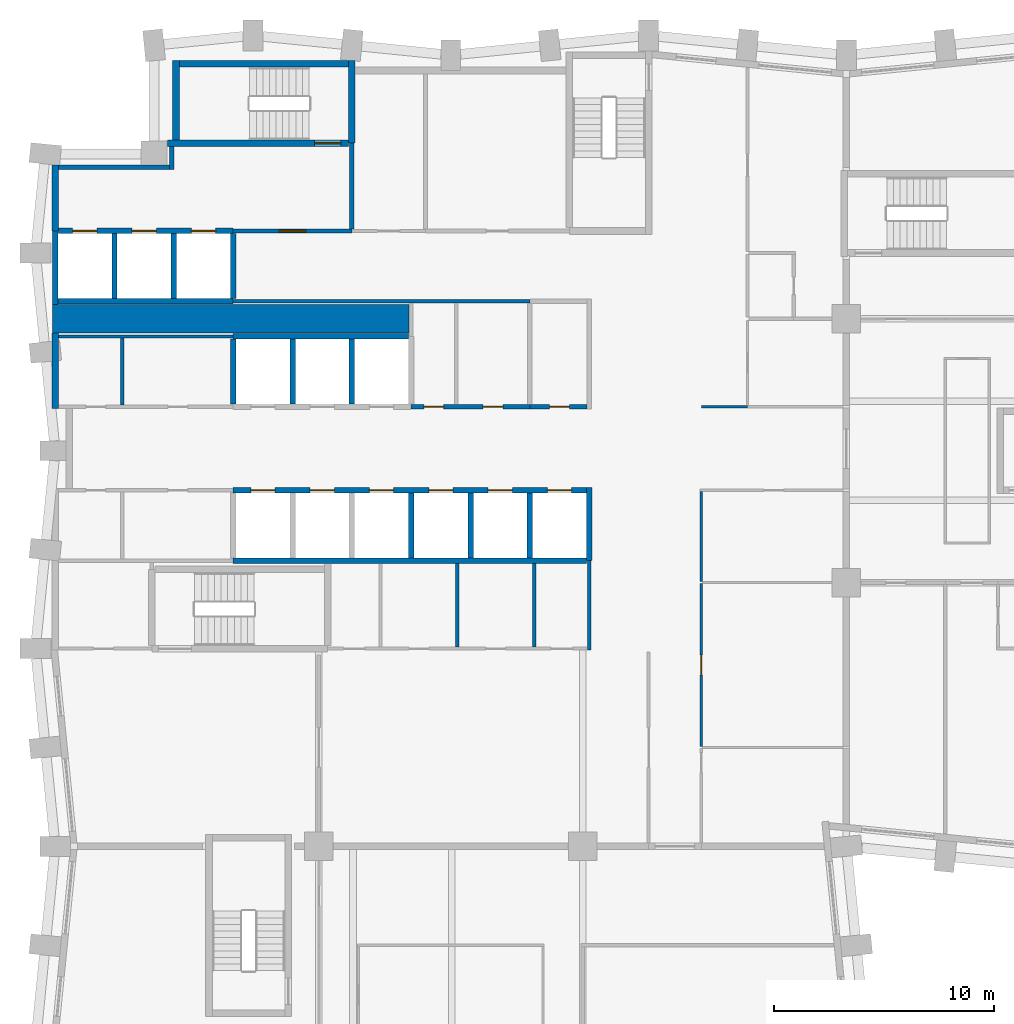
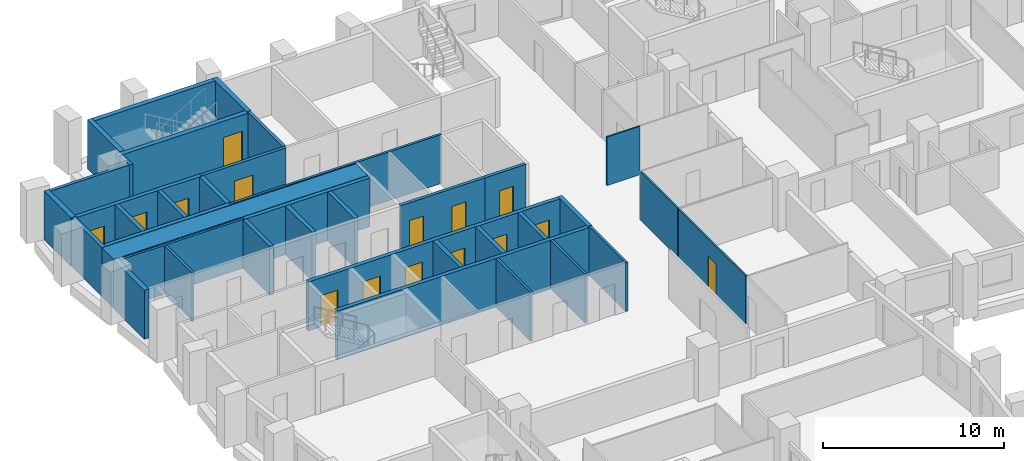
# One storey, part 6 of 13: 38 walls, 15 doors, 15 openings.
"""IFC4 building model written with IfcOpenShell, lengths in metres."""

import ifcopenshell
import ifcopenshell.guid

model = None  # the IFC model being written
_history = None  # IfcOwnerHistory: only IFC2X3 demands one
_inside = {}  # id of a spatial element -> (the spatial element, [elements in it])
_under = {}  # id of a project, library or spatial element -> (it, [spatial elements below it])
_declared = {}  # id of a project -> (the project, [libraries it declares])
_typed = {}  # id of a type object -> (the type object, [elements of that type])
_made_of = {}  # id of a material, layer set ... -> (it, [elements and type objects made of it])


def new_model(schema):
    """Start an empty IFC model of exactly this schema.

    Asked for "IFC4X3", IfcOpenShell would pick the latest addendum, in which some entities
    have other attributes; the version numbers below select the first issue.
    IFC2X3 requires an IfcOwnerHistory on every rooted entity: one is made here for all.
    """
    global model, _history
    if schema == "IFC4X3":
        model = ifcopenshell.file(schema_version=(4, 3, 0, 0))
    else:
        model = ifcopenshell.file(schema=schema)
    _inside.clear()
    _under.clear()
    _declared.clear()
    _typed.clear()
    _made_of.clear()
    _history = None
    if model.schema == "IFC2X3":
        org = make("IfcOrganization", Name="unknown")
        user = make(
            "IfcPersonAndOrganization",
            ThePerson=make("IfcPerson", FamilyName="unknown"),
            TheOrganization=org,
        )
        app = make(
            "IfcApplication",
            ApplicationDeveloper=org,
            Version="unknown",
            ApplicationFullName="unknown",
            ApplicationIdentifier="unknown",
        )
        _history = make(
            "IfcOwnerHistory",
            OwningUser=user,
            OwningApplication=app,
            ChangeAction="ADDED",
            CreationDate=0,
        )
    return model


def make(cls, **values):
    """One entity of the class cls with the attributes given. An attribute that is None is left unset."""
    return model.create_entity(
        cls, **{name: value for name, value in values.items() if value is not None}
    )


def rooted(cls, **values):
    """An entity with a GlobalId (a new one), such as an element, a storey or a relation."""
    return make(cls, GlobalId=ifcopenshell.guid.new(), OwnerHistory=_history, **values)


def si_unit(unit_type, name, prefix=None):
    """IfcSIUnit, for example si_unit("LENGTHUNIT", "METRE", prefix="MILLI")."""
    return make("IfcSIUnit", UnitType=unit_type, Prefix=prefix, Name=name)


def assignment(units):
    """IfcUnitAssignment: the units of a project."""
    return None if units is None else make("IfcUnitAssignment", Units=units)


def point(xyz):
    """IfcCartesianPoint."""
    return None if xyz is None else make("IfcCartesianPoint", Coordinates=xyz)


def direction(xyz):
    """IfcDirection."""
    return None if xyz is None else make("IfcDirection", DirectionRatios=xyz)


def frame(location, z_axis=None, x_axis=None):
    """IfcAxis2Placement3D, a coordinate frame: its origin and axes. An axis left out is left unset."""
    return make(
        "IfcAxis2Placement3D",
        Location=point(location),
        Axis=direction(z_axis),
        RefDirection=direction(x_axis),
    )


def frame_2d(location, x_axis=None):
    """IfcAxis2Placement2D, a coordinate frame in the plane: its origin and x axis."""
    return make(
        "IfcAxis2Placement2D", Location=point(location), RefDirection=direction(x_axis)
    )


def origin():
    """The frame at (0, 0, 0) with its axes left unset."""
    return frame((0.0, 0.0, 0.0))


def place(relative_to, where):
    """IfcLocalPlacement: puts the frame where relative to a parent placement (None: the world)."""
    return make(
        "IfcLocalPlacement", PlacementRelTo=relative_to, RelativePlacement=where
    )


def context(
    kind, dimensions, precision=None, world=None, true_north=None, identifier=None
):
    """IfcGeometricRepresentationContext, for example the 3D "Model" context."""
    return make(
        "IfcGeometricRepresentationContext",
        ContextIdentifier=identifier,
        ContextType=kind,
        CoordinateSpaceDimension=dimensions,
        Precision=precision,
        WorldCoordinateSystem=world,
        TrueNorth=true_north,
    )


def subcontext(parent, identifier, kind, view, scale=None):
    """IfcGeometricRepresentationSubContext, for example "Body" below "Model"."""
    return make(
        "IfcGeometricRepresentationSubContext",
        ContextIdentifier=identifier,
        ContextType=kind,
        ParentContext=parent,
        TargetScale=scale,
        TargetView=view,
    )


def project(units=None, contexts=None):
    """IfcProject with its units and contexts."""
    return rooted(
        "IfcProject",
        Name="project",
        RepresentationContexts=contexts,
        UnitsInContext=assignment(units),
    )


def spatial(cls, under=None, at=None, **own):
    """A site, building, storey or space (cls), placed at a placement, below another one or the project."""
    s = rooted(cls, ObjectPlacement=at, **own)
    if under is not None:
        _under.setdefault(under.id(), (under, []))[1].append(s)
    return s


def profile(cls, at=None, kind="AREA", **sizes):
    """A parametric profile (cls). Its sizes go by their IFC names, for example OverallWidth=200.0."""
    return make(cls, ProfileType=kind, Position=at, **sizes)


def rectangle(**sizes):
    """IfcRectangleProfileDef."""
    return profile("IfcRectangleProfileDef", **sizes)


def extrude(swept, where, along, depth):
    """IfcExtrudedAreaSolid: the profile swept, set in the frame where, extruded along a direction by depth."""
    return make(
        "IfcExtrudedAreaSolid",
        SweptArea=swept,
        Position=where,
        ExtrudedDirection=direction(along),
        Depth=depth,
    )


def shape(context_of_items, identifier, shape_type, items):
    """IfcShapeRepresentation: the items that make up one representation, for example the "Body"."""
    return make(
        "IfcShapeRepresentation",
        ContextOfItems=context_of_items,
        RepresentationIdentifier=identifier,
        RepresentationType=shape_type,
        Items=items,
    )


def material(Name=None, Category=None):
    """IfcMaterial."""
    return make("IfcMaterial", Name=Name, Category=Category)


def layer(
    of_material, thickness, ventilated=None, Name=None, Category=None, Priority=None
):
    """IfcMaterialLayer: one layer of a wall or slab, of a material (None: an air gap)."""
    return make(
        "IfcMaterialLayer",
        Material=of_material,
        LayerThickness=thickness,
        IsVentilated=ventilated,
        Name=Name,
        Category=Category,
        Priority=Priority,
    )


def layer_set(layers, Name=None):
    """IfcMaterialLayerSet."""
    return make("IfcMaterialLayerSet", MaterialLayers=layers, LayerSetName=Name)


def made_of(thing, what):
    """Note that an element or type object is made of a material, layer set ...; save() writes the relation."""
    if what is not None:
        _made_of.setdefault(what.id(), (what, []))[1].append(thing)
    return thing


def type_object(cls, material=None, **own):
    """A type object (cls), such as IfcWallType, which elements share."""
    return made_of(rooted(cls, **own), material)


def element(
    cls,
    number,
    at=None,
    inside=None,
    cuts=None,
    type_object=None,
    material=None,
    context=None,
    identifier="Body",
    shape_type=None,
    held_by="IfcProductDefinitionShape",
    body=None,
    shapes=None,
    **own,
):
    """One element of the class cls, such as IfcWall. Its Tag is "e" and its number.

    at: its placement. inside: the storey or other place that contains it. cuts: it is an
    opening in that element (IfcRelVoidsElement). A single representation is given by context,
    identifier, shape_type and body (its items); several are given by shapes. held_by: the class
    of the entity that holds the representations. save() writes the other relations.
    """
    e = rooted(cls, Tag="e%d" % number, ObjectPlacement=at, **own)
    if body is not None:
        shapes = [shape(context, identifier, shape_type, body)]
    if shapes is not None:
        e.Representation = make(held_by, Representations=shapes)
    if inside is not None:
        _inside.setdefault(inside.id(), (inside, []))[1].append(e)
    if cuts is not None:
        rooted(
            "IfcRelVoidsElement", RelatingBuildingElement=cuts, RelatedOpeningElement=e
        )
    if type_object is not None:
        _typed.setdefault(type_object.id(), (type_object, []))[1].append(e)
    return made_of(e, material)


def fill(opening, filler):
    """IfcRelFillsElement: the door or window that sits in an opening."""
    return rooted(
        "IfcRelFillsElement",
        RelatingOpeningElement=opening,
        RelatedBuildingElement=filler,
    )


def aggregate(whole, parts):
    """IfcRelAggregates: a whole, such as a stair, and the parts it consists of."""
    return rooted("IfcRelAggregates", RelatingObject=whole, RelatedObjects=parts)


def save(model, path):
    """Write the relations noted so far, then the file.

    IfcRelAggregates (storeys below a building ...), IfcRelContainedInSpatialStructure (elements
    in a storey), IfcRelDefinesByType, IfcRelAssociatesMaterial and IfcRelDeclares: one each for
    every whole, place, type object, material and project.
    """
    for whole, parts in _under.values():
        aggregate(whole, parts)
    for where, things in _inside.values():
        rooted(
            "IfcRelContainedInSpatialStructure",
            RelatedElements=things,
            RelatingStructure=where,
        )
    for kind, things in _typed.values():
        rooted("IfcRelDefinesByType", RelatedObjects=things, RelatingType=kind)
    for what, things in _made_of.values():
        rooted("IfcRelAssociatesMaterial", RelatedObjects=things, RelatingMaterial=what)
    for by, libraries in _declared.values():
        rooted("IfcRelDeclares", RelatingContext=by, RelatedDefinitions=libraries)
    model.write(path)


model = new_model("IFC4")

# Units and contexts
model_context = context("Model", 3, precision=1e-05, world=origin(), true_north=direction((0.0, 1.0)))
body_context = subcontext(model_context, "Body", "Model", "MODEL_VIEW")
ifc_project = project(units=[si_unit("LENGTHUNIT", "METRE"), si_unit("AREAUNIT", "SQUARE_METRE"), si_unit("VOLUMEUNIT", "CUBIC_METRE"), si_unit("PLANEANGLEUNIT", "RADIAN"), si_unit("MASSUNIT", "GRAM", prefix="KILO")], contexts=[model_context])

# Site, building, storey
site_placement = place(None, origin())
site = spatial("IfcSite", under=ifc_project, at=site_placement, CompositionType="ELEMENT")
building_placement = place(site_placement, origin())
building = spatial("IfcBuilding", under=site, at=building_placement, Name="Brondeck Convention Tower", CompositionType="ELEMENT")
storey_placement = place(building_placement, frame((0.0, 0.0, 69.89990234375)))
storey = spatial("IfcBuildingStorey", under=building, at=storey_placement, Name="L15", CompositionType="ELEMENT", Elevation=69.89990234375)

# Walls
ifc_material_1 = material(Name="Concrete C80/95", Category="concrete")
ifc_layer_1 = layer(ifc_material_1, 0.14990234375)
ifc_layer_set_1 = layer_set([ifc_layer_1], Name="Core beam-seat wall 150 Concrete C80/95")
wall_type_1 = type_object("IfcWallType", Name="Core beam-seat wall 150 Concrete C80/95", PredefinedType="SHEAR", material=ifc_layer_set_1)
wall_1_placement = place(storey_placement, frame((24.300048828125, 35.925048828125, 0.0), z_axis=(0.0, 0.0, 1.0), x_axis=(0.0, 1.0, 0.0)))
element("IfcWall", 1, at=wall_1_placement, inside=storey, type_object=wall_type_1, Name="L15 core wall", PredefinedType="SHEAR", context=body_context, shape_type="SweptSolid", body=[
    extrude(rectangle(XDim=4.074951171875, YDim=0.14990234375, at=frame_2d((2.03759765625, 0.0))), origin(), (0.0, 0.0, 1.0), 3.300048828125),
])
ifc_layer_2 = layer(ifc_material_1, 0.300048828125)
ifc_layer_set_2 = layer_set([ifc_layer_2], Name="Core outer wall 300 Concrete C80/95")
wall_type_2 = type_object("IfcWallType", Name="Core outer wall 300 Concrete C80/95", PredefinedType="SHEAR", material=ifc_layer_set_2)
wall_2_placement = place(storey_placement, frame((0.0, 46.925048828125, 0.0), z_axis=(0.0, 0.0, 1.0), x_axis=(0.0, 1.0, 0.0)))
element("IfcWall", 2, at=wall_2_placement, inside=storey, type_object=wall_type_2, Name="L15 core wall", PredefinedType="SHEAR", context=body_context, shape_type="SweptSolid", body=[
    extrude(rectangle(XDim=3.425048828125, YDim=0.300048828125, at=frame_2d((1.71240234375, 0.0))), origin(), (0.0, 0.0, 1.0), 3.300048828125),
])
wall_3_placement = place(storey_placement, frame((0.0, 55.0, 0.0), z_axis=(0.0, 0.0, 1.0), x_axis=(0.0, 1.0, 0.0)))
element("IfcWall", 3, at=wall_3_placement, inside=storey, type_object=wall_type_2, Name="L15 core wall", PredefinedType="SHEAR", context=body_context, shape_type="SweptSolid", body=[
    extrude(rectangle(XDim=3.0, YDim=0.300048828125, at=frame_2d((1.5, 0.0))), origin(), (0.0, 0.0, 1.0), 3.300048828125),
])
ifc_material_2 = material(Name="Fire-rated gypsum board partition")
ifc_layer_3 = layer(ifc_material_2, 0.14990234375)
ifc_layer_set_3 = layer_set([ifc_layer_3], Name="Core partition 150 EI 60")
wall_type_3 = type_object("IfcWallType", Name="Core partition 150 EI 60", PredefinedType="PARTITIONING", material=ifc_layer_set_3)
wall_4_placement = place(storey_placement, frame((0.14990234375, 50.199951171875, 0.0), z_axis=(0.0, 0.0, 1.0), x_axis=(1.0, 0.0, 0.0)))
element("IfcWall", 4, at=wall_4_placement, inside=storey, type_object=wall_type_3, Name="L15 core wall", PredefinedType="PARTITIONING", context=body_context, shape_type="SweptSolid", body=[
    extrude(rectangle(XDim=7.9501953125, YDim=0.14990234375, at=frame_2d((3.97509765625, 0.0))), origin(), (0.0, 0.0, 1.0), 3.300048828125),
])
wall_5_placement = place(storey_placement, frame((8.10009765625, 51.800048828125, 0.0), z_axis=(0.0, 0.0, 1.0), x_axis=(1.0, 0.0, 0.0)))
element("IfcWall", 5, at=wall_5_placement, inside=storey, type_object=wall_type_3, Name="L15 core wall", PredefinedType="PARTITIONING", context=body_context, shape_type="SweptSolid", body=[
    extrude(rectangle(XDim=13.5, YDim=0.14990234375, at=frame_2d((6.75, 0.0))), origin(), (0.0, 0.0, 1.0), 3.300048828125),
])
wall_6_placement = place(storey_placement, frame((3.050048828125, 47.074951171875, 0.0), z_axis=(0.0, 0.0, 1.0), x_axis=(0.0, 1.0, 0.0)))
element("IfcWall", 6, at=wall_6_placement, inside=storey, type_object=wall_type_3, Name="L15 core wall", PredefinedType="PARTITIONING", context=body_context, shape_type="SweptSolid", body=[
    extrude(rectangle(XDim=3.050048828125, YDim=0.14990234375, at=frame_2d((1.52490234375, 0.0))), origin(), (0.0, 0.0, 1.0), 3.300048828125),
])
for number, where, z_axis, x_axis, name in (
    (7, (18.300048828125, 36.074951171875, 0.0), (0.0, 0.0, 1.0), (0.0, 1.0, 0.0), "L15 core wall"),
    (8, (21.800048828125, 36.074951171875, 0.0), (0.0, 0.0, 1.0), (0.0, 1.0, 0.0), "L15 core wall"),
):
    element("IfcWall", number, at=place(storey_placement, frame(where, z_axis=z_axis, x_axis=x_axis)), inside=storey, type_object=wall_type_3, Name=name, PredefinedType="PARTITIONING", context=body_context, shape_type="SweptSolid", body=[
        extrude(rectangle(XDim=3.800048828125, YDim=0.14990234375, at=frame_2d((1.89990234375, 0.0))), origin(), (0.0, 0.0, 1.0), 3.300048828125),
    ])
ifc_layer_4 = layer(ifc_material_1, 1.300048828125)
ifc_layer_set_4 = layer_set([ifc_layer_4], Name="Core shear wall 1300 Concrete C80/95")
wall_type_4 = type_object("IfcWallType", Name="Core shear wall 1300 Concrete C80/95", PredefinedType="SHEAR", material=ifc_layer_set_4)
wall_7_placement = place(storey_placement, frame((-0.125, 51.0, 0.0), z_axis=(0.0, 0.0, 1.0), x_axis=(1.0, 0.0, 0.0)))
element("IfcWall", 9, at=wall_7_placement, inside=storey, type_object=wall_type_4, Name="L15 core wall", PredefinedType="SHEAR", context=body_context, shape_type="SweptSolid", body=[
    extrude(rectangle(XDim=16.22509765625, YDim=1.300048828125, at=frame_2d((8.112548828125, 0.0))), origin(), (0.0, 0.0, 1.0), 3.300048828125),
])

# Wall, opening, door
ifc_layer_5 = layer(ifc_material_2, 0.199951171875)
ifc_layer_set_5 = layer_set([ifc_layer_5], Name="Firefighting lobby wall 200 EI 120")
wall_type_5 = type_object("IfcWallType", Name="Firefighting lobby wall 200 EI 120", PredefinedType="PARTITIONING", material=ifc_layer_set_5)
wall_8_placement = place(storey_placement, frame((8.10009765625, 55.0, 0.0), z_axis=(0.0, 0.0, 1.0), x_axis=(1.0, 0.0, 0.0)))
wall_8 = element("IfcWall", 10, at=wall_8_placement, inside=storey, type_object=wall_type_5, Name="L15 core wall", PredefinedType="PARTITIONING", context=body_context, shape_type="SweptSolid", body=[
    extrude(rectangle(XDim=5.39990234375, YDim=0.199951171875, at=frame_2d((2.699951171875, 0.0))), origin(), (0.0, 0.0, 1.0), 3.300048828125),
])
opening_1_placement = place(wall_8_placement, frame((2.10009765625, 0.0, 0.0)))
opening_1 = element("IfcOpeningElement", 11, at=opening_1_placement, cuts=wall_8, Name="Opening C11-01", PredefinedType="OPENING", context=body_context, shape_type="SweptSolid", body=[
    extrude(rectangle(XDim=1.199951171875, YDim=2.199951171875, at=frame_2d((0.60009765625, 1.10009765625))), frame((0.0, 0.10986328125, 0.0), z_axis=(0.0, -1.0, 0.0), x_axis=(1.0, 0.0, 0.0)), (0.0, 0.0, 1.0), 0.219970703125),
])
ifc_material_3 = material(Name="Steel fire door", Category="steel")
door_type_1 = type_object("IfcDoorType", Name="Firefighting lobby door 1200x2200 EI 120", OperationType="NOTDEFINED", PredefinedType="DOOR", material=ifc_material_3)
door_1_placement = place(opening_1_placement, origin())
door_1 = element("IfcDoor", 12, at=door_1_placement, inside=storey, type_object=door_type_1, Name="L15 Firefighting lobby door FFL-1", OperationType="SINGLE_SWING_RIGHT", OverallHeight=2.199951171875, OverallWidth=1.199951171875, PredefinedType="DOOR", context=body_context, shape_type="SweptSolid", body=[
    extrude(rectangle(XDim=1.199951171875, YDim=2.199951171875, at=frame_2d((0.60009765625, 1.10009765625))), frame((0.0, 0.02490234375, 0.0), z_axis=(0.0, -1.0, 0.0), x_axis=(1.0, 0.0, 0.0)), (0.0, 0.0, 1.0), 0.050048828125),
])
fill(opening_1, door_1)

# Walls
wall_9_placement = place(storey_placement, frame((0.14990234375, 57.89990234375, 0.0), z_axis=(0.0, 0.0, 1.0), x_axis=(1.0, 0.0, 0.0)))
element("IfcWall", 13, at=wall_9_placement, inside=storey, type_object=wall_type_5, Name="L15 core wall", PredefinedType="PARTITIONING", context=body_context, shape_type="SweptSolid", body=[
    extrude(rectangle(XDim=5.050048828125, YDim=0.199951171875, at=frame_2d((2.52490234375, 0.0))), origin(), (0.0, 0.0, 1.0), 3.300048828125),
])
wall_10_placement = place(storey_placement, frame((5.300048828125, 57.800048828125, 0.0), z_axis=(0.0, 0.0, 1.0), x_axis=(0.0, 1.0, 0.0)))
element("IfcWall", 14, at=wall_10_placement, inside=storey, type_object=wall_type_5, Name="L15 core wall", PredefinedType="PARTITIONING", context=body_context, shape_type="SweptSolid", body=[
    extrude(rectangle(XDim=1.050048828125, YDim=0.199951171875, at=frame_2d((0.52490234375, 0.0))), origin(), (0.0, 0.0, 1.0), 3.300048828125),
])
wall_11_placement = place(storey_placement, frame((13.5, 55.10009765625, 0.0), z_axis=(0.0, 0.0, 1.0), x_axis=(0.0, 1.0, 0.0)))
element("IfcWall", 15, at=wall_11_placement, inside=storey, type_object=wall_type_5, Name="L15 core wall", PredefinedType="PARTITIONING", context=body_context, shape_type="SweptSolid", body=[
    extrude(rectangle(XDim=3.89990234375, YDim=0.199951171875, at=frame_2d((1.949951171875, 0.0))), origin(), (0.0, 0.0, 1.0), 3.300048828125),
])

# Wall, openings, doors
ifc_layer_6 = layer(ifc_material_2, 0.199951171875)
ifc_layer_set_6 = layer_set([ifc_layer_6], Name="Lift lobby wall 200 EI 60")
wall_type_6 = type_object("IfcWallType", Name="Lift lobby wall 200 EI 60", PredefinedType="PARTITIONING", material=ifc_layer_set_6)
wall_12_placement = place(storey_placement, frame((16.199951171875, 47.0, 0.0), z_axis=(0.0, 0.0, 1.0), x_axis=(1.0, 0.0, 0.0)))
wall_12 = element("IfcWall", 16, at=wall_12_placement, inside=storey, type_object=wall_type_6, Name="L15 core wall", PredefinedType="PARTITIONING", context=body_context, shape_type="SweptSolid", body=[
    extrude(rectangle(XDim=5.400146484375, YDim=0.199951171875, at=frame_2d((2.7001953125, 0.0))), origin(), (0.0, 0.0, 1.0), 3.300048828125),
])
opening_2_placement = place(wall_12_placement, frame((0.574951171875, 0.0, 0.0)))
opening_2 = element("IfcOpeningElement", 17, at=opening_2_placement, cuts=wall_12, Name="Opening C11-10", PredefinedType="OPENING", context=body_context, shape_type="SweptSolid", body=[
    extrude(rectangle(XDim=0.89990234375, YDim=2.10009765625, at=frame_2d((0.449951171875, 1.050048828125))), frame((0.0, 0.10986328125, 0.0), z_axis=(0.0, -1.0, 0.0), x_axis=(1.0, 0.0, 0.0)), (0.0, 0.0, 1.0), 0.219970703125),
])
opening_3_placement = place(wall_12_placement, frame((3.27490234375, 0.0, 0.0)))
opening_3 = element("IfcOpeningElement", 18, at=opening_3_placement, cuts=wall_12, Name="Opening C11-11", PredefinedType="OPENING", context=body_context, shape_type="SweptSolid", body=[
    extrude(rectangle(XDim=0.89990234375, YDim=2.10009765625, at=frame_2d((0.449951171875, 1.050048828125))), frame((0.0, 0.10986328125, 0.0), z_axis=(0.0, -1.0, 0.0), x_axis=(1.0, 0.0, 0.0)), (0.0, 0.0, 1.0), 0.219970703125),
])
door_type_2 = type_object("IfcDoorType", Name="Room door 900x2100 EI 60", OperationType="NOTDEFINED", PredefinedType="DOOR", material=ifc_material_3)
door_2_placement = place(opening_2_placement, origin())
door_2 = element("IfcDoor", 19, at=door_2_placement, inside=storey, type_object=door_type_2, Name="L15 Room door FZ-N-16.2-1", OperationType="SINGLE_SWING_LEFT", OverallHeight=2.10009765625, OverallWidth=0.89990234375, PredefinedType="DOOR", context=body_context, shape_type="SweptSolid", body=[
    extrude(rectangle(XDim=0.89990234375, YDim=2.10009765625, at=frame_2d((0.449951171875, 1.050048828125))), frame((0.0, 0.02490234375, 0.0), z_axis=(0.0, -1.0, 0.0), x_axis=(1.0, 0.0, 0.0)), (0.0, 0.0, 1.0), 0.050048828125),
])
fill(opening_2, door_2)
door_3_placement = place(opening_3_placement, origin())
door_3 = element("IfcDoor", 20, at=door_3_placement, inside=storey, type_object=door_type_2, Name="L15 Room door FZ-N-16.2-2", OperationType="SINGLE_SWING_RIGHT", OverallHeight=2.10009765625, OverallWidth=0.89990234375, PredefinedType="DOOR", context=body_context, shape_type="SweptSolid", body=[
    extrude(rectangle(XDim=0.89990234375, YDim=2.10009765625, at=frame_2d((0.449951171875, 1.050048828125))), frame((0.0, 0.02490234375, 0.0), z_axis=(0.0, -1.0, 0.0), x_axis=(1.0, 0.0, 0.0)), (0.0, 0.0, 1.0), 0.050048828125),
])
fill(opening_3, door_3)

# Wall
ifc_layer_7 = layer(ifc_material_1, 0.25)
ifc_layer_set_7 = layer_set([ifc_layer_7], Name="Lift shaft wall 250 Concrete C80/95")
wall_type_7 = type_object("IfcWallType", Name="Lift shaft wall 250 Concrete C80/95", PredefinedType="SHEAR", material=ifc_layer_set_7)
wall_13_placement = place(storey_placement, frame((8.10009765625, 40.0, 0.0), z_axis=(0.0, 0.0, 1.0), x_axis=(1.0, 0.0, 0.0)))
element("IfcWall", 21, at=wall_13_placement, inside=storey, type_object=wall_type_7, Name="L15 core wall", PredefinedType="SHEAR", context=body_context, shape_type="SweptSolid", body=[
    extrude(rectangle(XDim=16.074951171875, YDim=0.25, at=frame_2d((8.03759765625, 0.0))), origin(), (0.0, 0.0, 1.0), 3.300048828125),
])

# Wall, openings, doors
wall_14_placement = place(storey_placement, frame((8.10009765625, 43.199951171875, 0.0), z_axis=(0.0, 0.0, 1.0), x_axis=(1.0, 0.0, 0.0)))
wall_14 = element("IfcWall", 22, at=wall_14_placement, inside=storey, type_object=wall_type_7, Name="L15 core wall", PredefinedType="SHEAR", context=body_context, shape_type="SweptSolid", body=[
    extrude(rectangle(XDim=16.074951171875, YDim=0.25, at=frame_2d((8.03759765625, 0.0))), origin(), (0.0, 0.0, 1.0), 3.300048828125),
])
opening_4_placement = place(wall_14_placement, frame((14.300048828125, 0.0, 0.0)))
opening_4 = element("IfcOpeningElement", 23, at=opening_4_placement, cuts=wall_14, Name="Opening C11-26", PredefinedType="OPENING", context=body_context, shape_type="SweptSolid", body=[
    extrude(rectangle(XDim=1.10009765625, YDim=2.10009765625, at=frame_2d((0.550048828125, 1.050048828125))), frame((0.0, 0.135009765625, 0.0), z_axis=(0.0, -1.0, 0.0), x_axis=(1.0, 0.0, 0.0)), (0.0, 0.0, 1.0), 0.27001953125),
])
opening_5_placement = place(wall_14_placement, frame((0.800048828125, 0.0, 0.0)))
opening_5 = element("IfcOpeningElement", 24, at=opening_5_placement, cuts=wall_14, Name="Opening C11-27", PredefinedType="OPENING", context=body_context, shape_type="SweptSolid", body=[
    extrude(rectangle(XDim=1.10009765625, YDim=2.10009765625, at=frame_2d((0.550048828125, 1.050048828125))), frame((0.0, 0.135009765625, 0.0), z_axis=(0.0, -1.0, 0.0), x_axis=(1.0, 0.0, 0.0)), (0.0, 0.0, 1.0), 0.27001953125),
])
opening_6_placement = place(wall_14_placement, frame((3.5, 0.0, 0.0)))
opening_6 = element("IfcOpeningElement", 25, at=opening_6_placement, cuts=wall_14, Name="Opening C11-28", PredefinedType="OPENING", context=body_context, shape_type="SweptSolid", body=[
    extrude(rectangle(XDim=1.10009765625, YDim=2.10009765625, at=frame_2d((0.550048828125, 1.050048828125))), frame((0.0, 0.135009765625, 0.0), z_axis=(0.0, -1.0, 0.0), x_axis=(1.0, 0.0, 0.0)), (0.0, 0.0, 1.0), 0.27001953125),
])
opening_7_placement = place(wall_14_placement, frame((6.199951171875, 0.0, 0.0)))
opening_7 = element("IfcOpeningElement", 26, at=opening_7_placement, cuts=wall_14, Name="Opening C11-29", PredefinedType="OPENING", context=body_context, shape_type="SweptSolid", body=[
    extrude(rectangle(XDim=1.10009765625, YDim=2.10009765625, at=frame_2d((0.550048828125, 1.050048828125))), frame((0.0, 0.135009765625, 0.0), z_axis=(0.0, -1.0, 0.0), x_axis=(1.0, 0.0, 0.0)), (0.0, 0.0, 1.0), 0.27001953125),
])
opening_8_placement = place(wall_14_placement, frame((8.89990234375, 0.0, 0.0)))
opening_8 = element("IfcOpeningElement", 27, at=opening_8_placement, cuts=wall_14, Name="Opening C11-33", PredefinedType="OPENING", context=body_context, shape_type="SweptSolid", body=[
    extrude(rectangle(XDim=1.10009765625, YDim=2.10009765625, at=frame_2d((0.550048828125, 1.050048828125))), frame((0.0, 0.135009765625, 0.0), z_axis=(0.0, -1.0, 0.0), x_axis=(1.0, 0.0, 0.0)), (0.0, 0.0, 1.0), 0.27001953125),
])
opening_9_placement = place(wall_14_placement, frame((11.60009765625, 0.0, 0.0)))
opening_9 = element("IfcOpeningElement", 28, at=opening_9_placement, cuts=wall_14, Name="Opening C11-34", PredefinedType="OPENING", context=body_context, shape_type="SweptSolid", body=[
    extrude(rectangle(XDim=1.10009765625, YDim=2.10009765625, at=frame_2d((0.550048828125, 1.050048828125))), frame((0.0, 0.135009765625, 0.0), z_axis=(0.0, -1.0, 0.0), x_axis=(1.0, 0.0, 0.0)), (0.0, 0.0, 1.0), 0.27001953125),
])
ifc_material_4 = material(Name="Stainless steel lift door", Category="steel")
door_type_3 = type_object("IfcDoorType", Name="Lift landing door 1100x2100 EI 180", OperationType="DOUBLE_DOOR_SLIDING", PredefinedType="DOOR", material=ifc_material_4)
door_4_placement = place(opening_4_placement, origin())
door_4 = element("IfcDoor", 29, at=door_4_placement, inside=storey, type_object=door_type_3, Name="L15 Lift landing door HS1", OperationType="DOUBLE_DOOR_SLIDING", OverallHeight=2.10009765625, OverallWidth=1.10009765625, PredefinedType="DOOR", context=body_context, shape_type="SweptSolid", body=[
    extrude(rectangle(XDim=1.10009765625, YDim=2.10009765625, at=frame_2d((0.550048828125, 1.050048828125))), frame((0.0, 0.02490234375, 0.0), z_axis=(0.0, -1.0, 0.0), x_axis=(1.0, 0.0, 0.0)), (0.0, 0.0, 1.0), 0.050048828125),
])
fill(opening_4, door_4)
door_5_placement = place(opening_5_placement, origin())
door_5 = element("IfcDoor", 30, at=door_5_placement, inside=storey, type_object=door_type_3, Name="L15 Lift landing door LR1", OperationType="DOUBLE_DOOR_SLIDING", OverallHeight=2.10009765625, OverallWidth=1.10009765625, PredefinedType="DOOR", context=body_context, shape_type="SweptSolid", body=[
    extrude(rectangle(XDim=1.10009765625, YDim=2.10009765625, at=frame_2d((0.550048828125, 1.050048828125))), frame((0.0, 0.02490234375, 0.0), z_axis=(0.0, -1.0, 0.0), x_axis=(1.0, 0.0, 0.0)), (0.0, 0.0, 1.0), 0.050048828125),
])
fill(opening_5, door_5)
door_6_placement = place(opening_6_placement, origin())
door_6 = element("IfcDoor", 31, at=door_6_placement, inside=storey, type_object=door_type_3, Name="L15 Lift landing door LR2", OperationType="DOUBLE_DOOR_SLIDING", OverallHeight=2.10009765625, OverallWidth=1.10009765625, PredefinedType="DOOR", context=body_context, shape_type="SweptSolid", body=[
    extrude(rectangle(XDim=1.10009765625, YDim=2.10009765625, at=frame_2d((0.550048828125, 1.050048828125))), frame((0.0, 0.02490234375, 0.0), z_axis=(0.0, -1.0, 0.0), x_axis=(1.0, 0.0, 0.0)), (0.0, 0.0, 1.0), 0.050048828125),
])
fill(opening_6, door_6)
door_7_placement = place(opening_7_placement, origin())
door_7 = element("IfcDoor", 32, at=door_7_placement, inside=storey, type_object=door_type_3, Name="L15 Lift landing door LR3", OperationType="DOUBLE_DOOR_SLIDING", OverallHeight=2.10009765625, OverallWidth=1.10009765625, PredefinedType="DOOR", context=body_context, shape_type="SweptSolid", body=[
    extrude(rectangle(XDim=1.10009765625, YDim=2.10009765625, at=frame_2d((0.550048828125, 1.050048828125))), frame((0.0, 0.02490234375, 0.0), z_axis=(0.0, -1.0, 0.0), x_axis=(1.0, 0.0, 0.0)), (0.0, 0.0, 1.0), 0.050048828125),
])
fill(opening_7, door_7)
door_8_placement = place(opening_8_placement, origin())
door_8 = element("IfcDoor", 33, at=door_8_placement, inside=storey, type_object=door_type_3, Name="L15 Lift landing door SH1", OperationType="DOUBLE_DOOR_SLIDING", OverallHeight=2.10009765625, OverallWidth=1.10009765625, PredefinedType="DOOR", context=body_context, shape_type="SweptSolid", body=[
    extrude(rectangle(XDim=1.10009765625, YDim=2.10009765625, at=frame_2d((0.550048828125, 1.050048828125))), frame((0.0, 0.02490234375, 0.0), z_axis=(0.0, -1.0, 0.0), x_axis=(1.0, 0.0, 0.0)), (0.0, 0.0, 1.0), 0.050048828125),
])
fill(opening_8, door_8)
door_9_placement = place(opening_9_placement, origin())
door_9 = element("IfcDoor", 34, at=door_9_placement, inside=storey, type_object=door_type_3, Name="L15 Lift landing door SH2", OperationType="DOUBLE_DOOR_SLIDING", OverallHeight=2.10009765625, OverallWidth=1.10009765625, PredefinedType="DOOR", context=body_context, shape_type="SweptSolid", body=[
    extrude(rectangle(XDim=1.10009765625, YDim=2.10009765625, at=frame_2d((0.550048828125, 1.050048828125))), frame((0.0, 0.02490234375, 0.0), z_axis=(0.0, -1.0, 0.0), x_axis=(1.0, 0.0, 0.0)), (0.0, 0.0, 1.0), 0.050048828125),
])
fill(opening_9, door_9)

# Walls
wall_15_placement = place(storey_placement, frame((8.10009765625, 50.199951171875, 0.0), z_axis=(0.0, 0.0, 1.0), x_axis=(1.0, 0.0, 0.0)))
element("IfcWall", 35, at=wall_15_placement, inside=storey, type_object=wall_type_7, Name="L15 core wall", PredefinedType="SHEAR", context=body_context, shape_type="SweptSolid", body=[
    extrude(rectangle(XDim=7.974853515625, YDim=0.25, at=frame_2d((3.9873046875, 0.0))), origin(), (0.0, 0.0, 1.0), 3.300048828125),
])
wall_16_placement = place(storey_placement, frame((0.125, 51.800048828125, 0.0), z_axis=(0.0, 0.0, 1.0), x_axis=(1.0, 0.0, 0.0)))
element("IfcWall", 36, at=wall_16_placement, inside=storey, type_object=wall_type_7, Name="L15 core wall", PredefinedType="SHEAR", context=body_context, shape_type="SweptSolid", body=[
    extrude(rectangle(XDim=7.97509765625, YDim=0.25, at=frame_2d((3.987548828125, 0.0))), origin(), (0.0, 0.0, 1.0), 3.300048828125),
])

# Wall, openings, doors
wall_17_placement = place(storey_placement, frame((0.14990234375, 55.0, 0.0), z_axis=(0.0, 0.0, 1.0), x_axis=(1.0, 0.0, 0.0)))
wall_17 = element("IfcWall", 37, at=wall_17_placement, inside=storey, type_object=wall_type_7, Name="L15 core wall", PredefinedType="SHEAR", context=body_context, shape_type="SweptSolid", body=[
    extrude(rectangle(XDim=7.9501953125, YDim=0.25, at=frame_2d((3.97509765625, 0.0))), origin(), (0.0, 0.0, 1.0), 3.300048828125),
])
opening_10_placement = place(wall_17_placement, frame((0.64990234375, 0.0, 0.0)))
opening_10 = element("IfcOpeningElement", 38, at=opening_10_placement, cuts=wall_17, Name="Opening C11-23", PredefinedType="OPENING", context=body_context, shape_type="SweptSolid", body=[
    extrude(rectangle(XDim=1.10009765625, YDim=2.10009765625, at=frame_2d((0.550048828125, 1.050048828125))), frame((0.0, 0.135009765625, 0.0), z_axis=(0.0, -1.0, 0.0), x_axis=(1.0, 0.0, 0.0)), (0.0, 0.0, 1.0), 0.27001953125),
])
opening_11_placement = place(wall_17_placement, frame((3.35009765625, 0.0, 0.0)))
opening_11 = element("IfcOpeningElement", 39, at=opening_11_placement, cuts=wall_17, Name="Opening C11-24", PredefinedType="OPENING", context=body_context, shape_type="SweptSolid", body=[
    extrude(rectangle(XDim=1.10009765625, YDim=2.10009765625, at=frame_2d((0.550048828125, 1.050048828125))), frame((0.0, 0.135009765625, 0.0), z_axis=(0.0, -1.0, 0.0), x_axis=(1.0, 0.0, 0.0)), (0.0, 0.0, 1.0), 0.27001953125),
])
opening_12_placement = place(wall_17_placement, frame((6.050048828125, 0.0, 0.0)))
opening_12 = element("IfcOpeningElement", 40, at=opening_12_placement, cuts=wall_17, Name="Opening C11-25", PredefinedType="OPENING", context=body_context, shape_type="SweptSolid", body=[
    extrude(rectangle(XDim=1.10009765625, YDim=2.10009765625, at=frame_2d((0.550048828125, 1.050048828125))), frame((0.0, 0.135009765625, 0.0), z_axis=(0.0, -1.0, 0.0), x_axis=(1.0, 0.0, 0.0)), (0.0, 0.0, 1.0), 0.27001953125),
])
door_10_placement = place(opening_10_placement, origin())
door_10 = element("IfcDoor", 41, at=door_10_placement, inside=storey, type_object=door_type_3, Name="L15 Lift landing door FF1", OperationType="DOUBLE_DOOR_SLIDING", OverallHeight=2.10009765625, OverallWidth=1.10009765625, PredefinedType="DOOR", context=body_context, shape_type="SweptSolid", body=[
    extrude(rectangle(XDim=1.10009765625, YDim=2.10009765625, at=frame_2d((0.550048828125, 1.050048828125))), frame((0.0, 0.02490234375, 0.0), z_axis=(0.0, -1.0, 0.0), x_axis=(1.0, 0.0, 0.0)), (0.0, 0.0, 1.0), 0.050048828125),
])
fill(opening_10, door_10)
door_11_placement = place(opening_11_placement, origin())
door_11 = element("IfcDoor", 42, at=door_11_placement, inside=storey, type_object=door_type_3, Name="L15 Lift landing door FF2", OperationType="DOUBLE_DOOR_SLIDING", OverallHeight=2.10009765625, OverallWidth=1.10009765625, PredefinedType="DOOR", context=body_context, shape_type="SweptSolid", body=[
    extrude(rectangle(XDim=1.10009765625, YDim=2.10009765625, at=frame_2d((0.550048828125, 1.050048828125))), frame((0.0, 0.02490234375, 0.0), z_axis=(0.0, -1.0, 0.0), x_axis=(1.0, 0.0, 0.0)), (0.0, 0.0, 1.0), 0.050048828125),
])
fill(opening_11, door_11)
door_12_placement = place(opening_12_placement, origin())
door_12 = element("IfcDoor", 43, at=door_12_placement, inside=storey, type_object=door_type_3, Name="L15 Lift landing door FF3", OperationType="DOUBLE_DOOR_SLIDING", OverallHeight=2.10009765625, OverallWidth=1.10009765625, PredefinedType="DOOR", context=body_context, shape_type="SweptSolid", body=[
    extrude(rectangle(XDim=1.10009765625, YDim=2.10009765625, at=frame_2d((0.550048828125, 1.050048828125))), frame((0.0, 0.02490234375, 0.0), z_axis=(0.0, -1.0, 0.0), x_axis=(1.0, 0.0, 0.0)), (0.0, 0.0, 1.0), 0.050048828125),
])
fill(opening_12, door_12)

# Walls
wall_18_placement = place(storey_placement, frame((0.0, 51.64990234375, 0.0), z_axis=(0.0, 0.0, 1.0), x_axis=(0.0, 1.0, 0.0)))
element("IfcWall", 44, at=wall_18_placement, inside=storey, type_object=wall_type_7, Name="L15 core wall", PredefinedType="SHEAR", context=body_context, shape_type="SweptSolid", body=[
    extrude(rectangle(XDim=3.35009765625, YDim=0.25, at=frame_2d((1.675048828125, 0.0))), origin(), (0.0, 0.0, 1.0), 3.300048828125),
])
for number, where, z_axis, x_axis, name in (
    (45, (2.699951171875, 51.925048828125, 0.0), (0.0, 0.0, 1.0), (0.0, 1.0, 0.0), "L15 core wall"),
    (46, (5.39990234375, 51.925048828125, 0.0), (0.0, 0.0, 1.0), (0.0, 1.0, 0.0), "L15 core wall"),
    (47, (8.10009765625, 47.125, 0.0), (0.0, 0.0, 1.0), (0.0, 1.0, 0.0), "L15 core wall"),
    (48, (8.10009765625, 51.925048828125, 0.0), (0.0, 0.0, 1.0), (0.0, 1.0, 0.0), "L15 core wall"),
    (49, (10.800048828125, 47.125, 0.0), (0.0, 0.0, 1.0), (0.0, 1.0, 0.0), "L15 core wall"),
    (50, (13.5, 47.125, 0.0), (0.0, 0.0, 1.0), (0.0, 1.0, 0.0), "L15 core wall"),
    (51, (16.199951171875, 40.125, 0.0), (0.0, 0.0, 1.0), (0.0, 1.0, 0.0), "L15 core wall"),
    (52, (18.89990234375, 40.125, 0.0), (0.0, 0.0, 1.0), (0.0, 1.0, 0.0), "L15 core wall"),
    (53, (21.60009765625, 40.125, 0.0), (0.0, 0.0, 1.0), (0.0, 1.0, 0.0), "L15 core wall"),
):
    element("IfcWall", number, at=place(storey_placement, frame(where, z_axis=z_axis, x_axis=x_axis)), inside=storey, type_object=wall_type_7, Name=name, PredefinedType="SHEAR", context=body_context, shape_type="SweptSolid", body=[
        extrude(rectangle(XDim=2.949951171875, YDim=0.25, at=frame_2d((1.47509765625, 0.0))), origin(), (0.0, 0.0, 1.0), 3.300048828125),
    ])
wall_19_placement = place(storey_placement, frame((24.300048828125, 40.0, 0.0), z_axis=(0.0, 0.0, 1.0), x_axis=(0.0, 1.0, 0.0)))
element("IfcWall", 54, at=wall_19_placement, inside=storey, type_object=wall_type_7, Name="L15 core wall", PredefinedType="SHEAR", context=body_context, shape_type="SweptSolid", body=[
    extrude(rectangle(XDim=3.324951171875, YDim=0.25, at=frame_2d((1.66259765625, 0.0))), origin(), (0.0, 0.0, 1.0), 3.300048828125),
])

# Wall, opening, door
ifc_layer_8 = layer(ifc_material_2, 0.199951171875)
ifc_layer_set_8 = layer_set([ifc_layer_8], Name="Riser wall 200 EI 120")
wall_type_8 = type_object("IfcWallType", Name="Riser wall 200 EI 120", PredefinedType="PARTITIONING", material=ifc_layer_set_8)
wall_20_placement = place(storey_placement, frame((21.60009765625, 47.0, 0.0), z_axis=(0.0, 0.0, 1.0), x_axis=(1.0, 0.0, 0.0)))
wall_20 = element("IfcWall", 55, at=wall_20_placement, inside=storey, type_object=wall_type_8, Name="L15 core wall", PredefinedType="PARTITIONING", context=body_context, shape_type="SweptSolid", body=[
    extrude(rectangle(XDim=2.599853515625, YDim=0.199951171875, at=frame_2d((1.2998046875, 0.0))), origin(), (0.0, 0.0, 1.0), 3.300048828125),
])
opening_13_placement = place(wall_20_placement, frame((0.89990234375, 0.0, 0.0)))
opening_13 = element("IfcOpeningElement", 56, at=opening_13_placement, cuts=wall_20, Name="Opening C11-02", PredefinedType="OPENING", context=body_context, shape_type="SweptSolid", body=[
    extrude(rectangle(XDim=0.89990234375, YDim=2.10009765625, at=frame_2d((0.449951171875, 1.050048828125))), frame((0.0, 0.10986328125, 0.0), z_axis=(0.0, -1.0, 0.0), x_axis=(1.0, 0.0, 0.0)), (0.0, 0.0, 1.0), 0.219970703125),
])
door_type_4 = type_object("IfcDoorType", Name="Riser door 900x2100 EI 120", OperationType="NOTDEFINED", PredefinedType="DOOR", material=ifc_material_3)
door_13_placement = place(opening_13_placement, origin())
door_13 = element("IfcDoor", 57, at=door_13_placement, inside=storey, type_object=door_type_4, Name="L15 Riser door EN-1", OperationType="SINGLE_SWING_LEFT", OverallHeight=2.10009765625, OverallWidth=0.89990234375, PredefinedType="DOOR", context=body_context, shape_type="SweptSolid", body=[
    extrude(rectangle(XDim=0.89990234375, YDim=2.10009765625, at=frame_2d((0.449951171875, 1.050048828125))), frame((0.0, 0.02490234375, 0.0), z_axis=(0.0, -1.0, 0.0), x_axis=(1.0, 0.0, 0.0)), (0.0, 0.0, 1.0), 0.050048828125),
])
fill(opening_13, door_13)

ifc_material_5 = material(Name="Gypsum board partition on steel studs", Category="steel")
ifc_layer_9 = layer(ifc_material_5, 0.10009765625)
ifc_layer_set_9 = layer_set([ifc_layer_9], Name="Room partition 100")
wall_type_9 = type_object("IfcWallType", Name="Room partition 100", PredefinedType="PARTITIONING", material=ifc_layer_set_9)
wall_21_placement = place(storey_placement, frame((29.39990234375, 38.949951171875, 0.0), z_axis=(0.0, 0.0, 1.0), x_axis=(0.0, -1.0, 0.0)))
wall_21 = element("IfcWall", 58, at=wall_21_placement, inside=storey, type_object=wall_type_9, Name="FLR-L15-W061", PredefinedType="PARTITIONING", context=body_context, shape_type="SweptSolid", body=[
    extrude(rectangle(XDim=7.39990234375, YDim=0.10009765625, at=frame_2d((3.699951171875, 0.0))), origin(), (0.0, 0.0, 1.0), 3.280029296875),
])
opening_14_placement = place(wall_21_placement, frame((3.25, 0.0, 0.0)))
opening_14 = element("IfcOpeningElement", 59, at=opening_14_placement, cuts=wall_21, Name="Opening H4-037", PredefinedType="OPENING", context=body_context, shape_type="SweptSolid", body=[
    extrude(rectangle(XDim=0.89990234375, YDim=2.10009765625, at=frame_2d((0.449951171875, 1.050048828125))), frame((0.0, 0.06005859375, 0.0), z_axis=(0.0, -1.0, 0.0), x_axis=(1.0, 0.0, 0.0)), (0.0, 0.0, 1.0), 0.1201171875),
])
ifc_material_6 = material(Name="Solid timber door leaf", Category="wood")
door_type_5 = type_object("IfcDoorType", Name="Single door 900", OperationType="NOTDEFINED", PredefinedType="DOOR", material=ifc_material_6)
door_14_placement = place(opening_14_placement, origin())
door_14 = element("IfcDoor", 60, at=door_14_placement, inside=storey, type_object=door_type_5, Name="Door H4-037", OperationType="SINGLE_SWING_RIGHT", OverallHeight=2.10009765625, OverallWidth=0.89990234375, PredefinedType="DOOR", context=body_context, shape_type="SweptSolid", body=[
    extrude(rectangle(XDim=0.89990234375, YDim=2.10009765625, at=frame_2d((0.449951171875, 1.050048828125))), frame((0.0, 0.02490234375, 0.0), z_axis=(0.0, -1.0, 0.0), x_axis=(1.0, 0.0, 0.0)), (0.0, 0.0, 1.0), 0.050048828125),
])
fill(opening_14, door_14)

# Walls
wall_22_placement = place(storey_placement, frame((29.39990234375, 43.14990234375, 0.0), z_axis=(0.0, 0.0, 1.0), x_axis=(0.0, -1.0, 0.0)))
element("IfcWall", 61, at=wall_22_placement, inside=storey, type_object=wall_type_9, Name="FLR-L15-W077", PredefinedType="PARTITIONING", context=body_context, shape_type="SweptSolid", body=[
    extrude(rectangle(XDim=4.099853515625, YDim=0.10009765625, at=frame_2d((2.0498046875, 0.0))), origin(), (0.0, 0.0, 1.0), 3.280029296875),
])
wall_23_placement = place(storey_placement, frame((29.39990234375, 47.0, 0.0), z_axis=(0.0, 0.0, 1.0), x_axis=(1.0, 0.0, 0.0)))
element("IfcWall", 62, at=wall_23_placement, inside=storey, type_object=wall_type_9, Name="FLR-L15-W083", PredefinedType="PARTITIONING", context=body_context, shape_type="SweptSolid", body=[
    extrude(rectangle(XDim=2.10009765625, YDim=0.10009765625, at=frame_2d((1.050048828125, 0.0))), origin(), (0.0, 0.0, 1.0), 3.280029296875),
])

# Wall, opening, door
ifc_layer_10 = layer(ifc_material_1, 0.300048828125)
ifc_layer_set_10 = layer_set([ifc_layer_10], Name="Stair enclosure wall 300 Concrete C80/95")
wall_type_10 = type_object("IfcWallType", Name="Stair enclosure wall 300 Concrete C80/95", PredefinedType="SHEAR", material=ifc_layer_set_10)
wall_24_placement = place(storey_placement, frame((5.10009765625, 59.0, 0.0), z_axis=(0.0, 0.0, 1.0), x_axis=(1.0, 0.0, 0.0)))
wall_24 = element("IfcWall", 63, at=wall_24_placement, inside=storey, type_object=wall_type_10, Name="L15 core wall", PredefinedType="SHEAR", context=body_context, shape_type="SweptSolid", body=[
    extrude(rectangle(XDim=8.25, YDim=0.300048828125, at=frame_2d((4.125, 0.0))), origin(), (0.0, 0.0, 1.0), 3.300048828125),
])
opening_15_placement = place(wall_24_placement, frame((6.699951171875, 0.0, 0.0)))
opening_15 = element("IfcOpeningElement", 64, at=opening_15_placement, cuts=wall_24, Name="Opening C11-18", PredefinedType="OPENING", context=body_context, shape_type="SweptSolid", body=[
    extrude(rectangle(XDim=1.199951171875, YDim=2.199951171875, at=frame_2d((0.60009765625, 1.10009765625))), frame((0.0, 0.159912109375, 0.0), z_axis=(0.0, -1.0, 0.0), x_axis=(1.0, 0.0, 0.0)), (0.0, 0.0, 1.0), 0.320068359375),
])
door_type_6 = type_object("IfcDoorType", Name="Stair door 1200x2200 EI 120", OperationType="NOTDEFINED", PredefinedType="DOOR", material=ifc_material_3)
door_15_placement = place(opening_15_placement, origin())
door_15 = element("IfcDoor", 65, at=door_15_placement, inside=storey, type_object=door_type_6, Name="L15 Stair door ST-3", OperationType="SINGLE_SWING_RIGHT", OverallHeight=2.199951171875, OverallWidth=1.199951171875, PredefinedType="DOOR", context=body_context, shape_type="SweptSolid", body=[
    extrude(rectangle(XDim=1.199951171875, YDim=2.199951171875, at=frame_2d((0.60009765625, 1.10009765625))), frame((0.0, 0.02490234375, 0.0), z_axis=(0.0, -1.0, 0.0), x_axis=(1.0, 0.0, 0.0)), (0.0, 0.0, 1.0), 0.050048828125),
])
fill(opening_15, door_15)

# Walls
wall_25_placement = place(storey_placement, frame((5.64990234375, 62.60009765625, 0.0), z_axis=(0.0, 0.0, 1.0), x_axis=(1.0, 0.0, 0.0)))
element("IfcWall", 66, at=wall_25_placement, inside=storey, type_object=wall_type_10, Name="L15 core wall", PredefinedType="SHEAR", context=body_context, shape_type="SweptSolid", body=[
    extrude(rectangle(XDim=7.7001953125, YDim=0.300048828125, at=frame_2d((3.85009765625, 0.0))), origin(), (0.0, 0.0, 1.0), 3.300048828125),
])
wall_26_placement = place(storey_placement, frame((5.5, 59.14990234375, 0.0), z_axis=(0.0, 0.0, 1.0), x_axis=(0.0, 1.0, 0.0)))
element("IfcWall", 67, at=wall_26_placement, inside=storey, type_object=wall_type_10, Name="L15 core wall", PredefinedType="SHEAR", context=body_context, shape_type="SweptSolid", body=[
    extrude(rectangle(XDim=3.60009765625, YDim=0.300048828125, at=frame_2d((1.800048828125, 0.0))), origin(), (0.0, 0.0, 1.0), 3.300048828125),
])
wall_27_placement = place(storey_placement, frame((13.5, 59.0, 0.0), z_axis=(0.0, 0.0, 1.0), x_axis=(0.0, 1.0, 0.0)))
element("IfcWall", 68, at=wall_27_placement, inside=storey, type_object=wall_type_10, Name="L15 core wall", PredefinedType="SHEAR", context=body_context, shape_type="SweptSolid", body=[
    extrude(rectangle(XDim=3.75, YDim=0.300048828125, at=frame_2d((1.875, 0.0))), origin(), (0.0, 0.0, 1.0), 3.300048828125),
])

save(model, "model.ifc")
